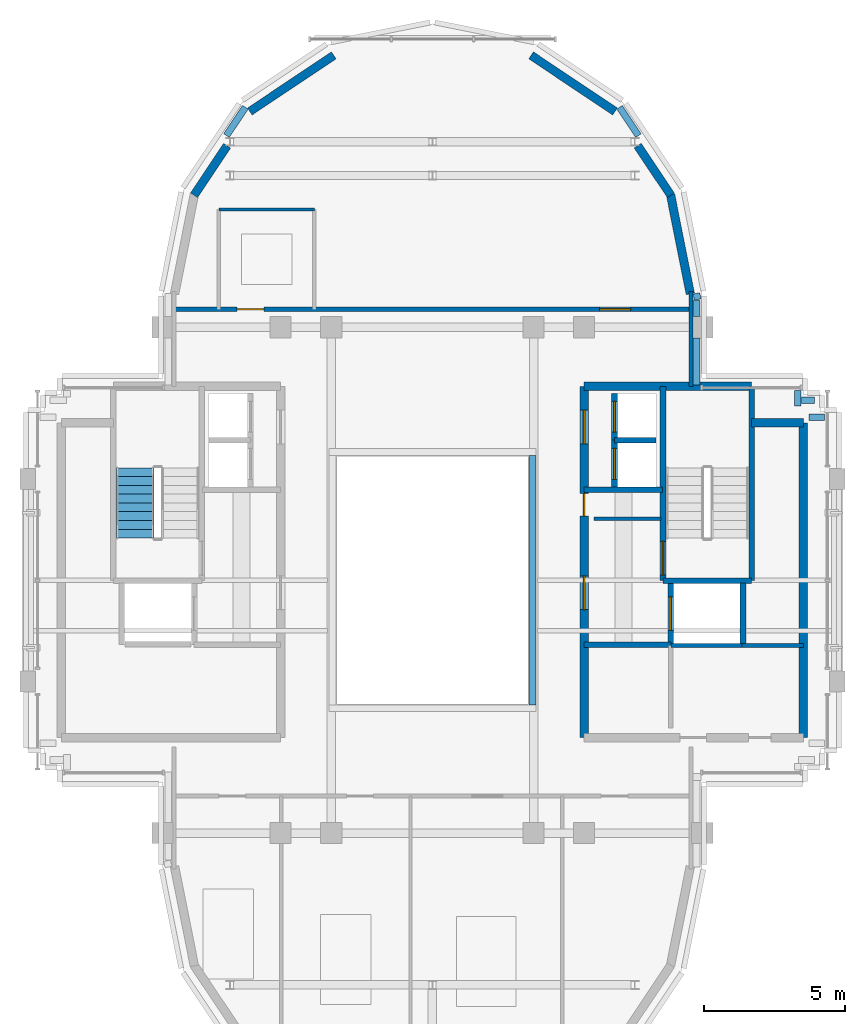
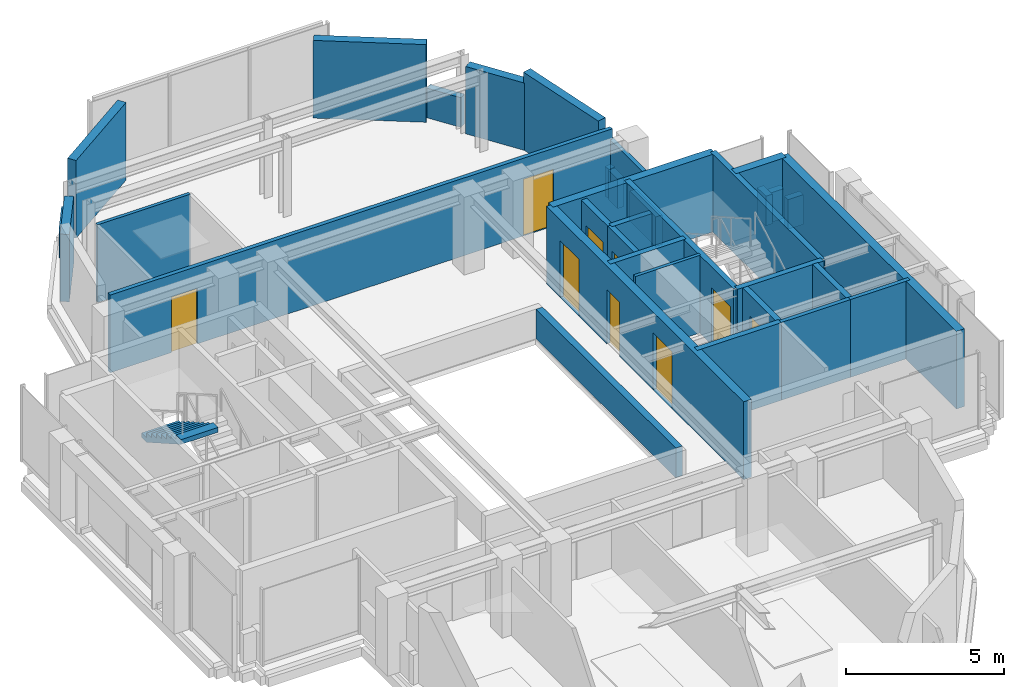
# One storey, part 8 of 11: 34 walls, 9 doors, 1 stair flight, 9 openings, 1 element without a shape of its own.
"""IFC4 building model written with IfcOpenShell, lengths in metres."""

from ifc_helpers import new_model, si_unit, direction, frame, frame_2d, origin, place, context, subcontext, project, spatial, polyline, rectangle, outline, extrude, source, transform, mapped, material, layer, layer_set, type_object, element, fill, aggregate, save


model = new_model("IFC4")

# Units and contexts
model_context = context("Model", 3, precision=1e-05, world=origin(), true_north=direction((0.0, 1.0)))
body_context = subcontext(model_context, "Body", "Model", "MODEL_VIEW")
ifc_project = project(units=[si_unit("LENGTHUNIT", "METRE"), si_unit("AREAUNIT", "SQUARE_METRE"), si_unit("VOLUMEUNIT", "CUBIC_METRE"), si_unit("PLANEANGLEUNIT", "RADIAN"), si_unit("MASSUNIT", "GRAM", prefix="KILO")], contexts=[model_context])

# Site, building, storey
site_placement = place(None, origin())
site = spatial("IfcSite", under=ifc_project, at=site_placement, CompositionType="ELEMENT")
building_placement = place(site_placement, origin())
building = spatial("IfcBuilding", under=site, at=building_placement, Name="Keilestroom Media Tower", CompositionType="ELEMENT")
storey_placement = place(building_placement, frame((0.0, 0.0, 265.199951171875)))
storey = spatial("IfcBuildingStorey", under=building, at=storey_placement, Name="L74", CompositionType="ELEMENT", Elevation=265.199951171875)

# Walls
ifc_material_1 = material(Name="Precast concrete C40/50", Category="concrete")
ifc_layer_1 = layer(ifc_material_1, 0.300048828125)
ifc_layer_set_1 = layer_set([ifc_layer_1], Name="Precast concrete C40/50")
wall_type_1 = type_object("IfcWallType", Name="Exterior-Masonry-Spandrel-Wall-300", PredefinedType="SOLIDWALL", material=ifc_layer_set_1)
wall_1_placement = place(storey_placement, frame((9.1748046875, 10.185302734375, 0.0), z_axis=(0.0, 0.0, 1.0), x_axis=(-0.195114232679, 0.980780523974, 0.0)))
element("IfcWall", 1, at=wall_1_placement, inside=storey, type_object=wall_type_1, Name="L74 Lobe Facet Precast Frame Wall 01", PredefinedType="SOLIDWALL", context=body_context, shape_type="SweptSolid", body=[
    extrude(rectangle(XDim=3.608642578125, YDim=0.300048828125, at=frame_2d((1.80419921875, 0.0))), origin(), (0.0, 0.0, 1.0), 3.010009765625),
])
wall_2_placement = place(storey_placement, frame((8.48193359375, 13.697509765625, 0.0), z_axis=(0.0, 0.0, 1.0), x_axis=(-0.555604299396, 0.831446848868, 0.0)))
element("IfcWall", 2, at=wall_2_placement, inside=storey, type_object=wall_type_1, Name="L74 Lobe Facet Precast Frame Wall 02", PredefinedType="SOLIDWALL", context=body_context, shape_type="SweptSolid", body=[
    extrude(rectangle(XDim=2.117919921875, YDim=0.300048828125, at=frame_2d((1.05908203125, 0.0))), origin(), (0.0, 0.0, 1.0), 2.610107421875),
])
for number, where, z_axis, x_axis, name in (
    (3, (6.497802734375, 16.677001953125, 0.0), (0.0, 0.0, 1.0), (-0.831443568068, 0.555609208993, 0.0), "L74 Lobe Facet Precast Frame Wall 03"),
    (4, (-3.510009765625, 18.673583984375, 0.0), (0.0, 0.0, 1.0), (-0.831443568068, -0.555609208993, 0.0), "L74 Lobe Facet Precast Frame Wall 04"),
):
    element("IfcWall", number, at=place(storey_placement, frame(where, z_axis=z_axis, x_axis=x_axis)), inside=storey, type_object=wall_type_1, Name=name, PredefinedType="SOLIDWALL", context=body_context, shape_type="SweptSolid", body=[
        extrude(rectangle(XDim=3.593505859375, YDim=0.300048828125, at=frame_2d((1.796875, 0.0))), origin(), (0.0, 0.0, 1.0), 3.010009765625),
    ])
wall_3_placement = place(storey_placement, frame((-7.30517578125, 15.45849609375, 0.0), z_axis=(0.0, 0.0, 1.0), x_axis=(-0.555604299396, -0.831446848868, 0.0)))
element("IfcWall", 5, at=wall_3_placement, inside=storey, type_object=wall_type_1, Name="L74 Lobe Facet Precast Frame Wall 05", PredefinedType="SOLIDWALL", context=body_context, shape_type="SweptSolid", body=[
    extrude(rectangle(XDim=2.117919921875, YDim=0.300048828125, at=frame_2d((1.05908203125, 0.0))), origin(), (0.0, 0.0, 1.0), 2.610107421875),
])
ifc_material_2 = material(Name="Gypsum Plasterboard & Steel Stud", Category="steel")
ifc_layer_2 = layer(ifc_material_2, 0.1201171875)
ifc_layer_set_2 = layer_set([ifc_layer_2], Name="Gypsum Plasterboard & Steel Stud")
wall_type_2 = type_object("IfcWallType", Name="Interior-Partition-Wall-120", PredefinedType="PARTITIONING", material=ifc_layer_set_2)
wall_4_placement = place(storey_placement, frame((5.75, 2.179931640625, 0.0), z_axis=(0.0, 0.0, 1.0), x_axis=(1.0, 0.0, 0.0)))
element("IfcWall", 6, at=wall_4_placement, inside=storey, type_object=wall_type_2, Name="L74 Interior Wall WP-L74-CIE-S", PredefinedType="PARTITIONING", context=body_context, shape_type="SweptSolid", body=[
    extrude(rectangle(XDim=2.389892578125, YDim=0.1201171875, at=frame_2d((1.19482421875, 0.0))), origin(), (0.0, 0.0, 1.0), 3.010009765625),
])
wall_5_placement = place(storey_placement, frame((-7.60009765625, 13.18994140625, 0.0), z_axis=(0.0, 0.0, 1.0), x_axis=(1.0, 0.0, 0.0)))
element("IfcWall", 7, at=wall_5_placement, inside=storey, type_object=wall_type_2, Name="L74 Interior Wall WP-L74-NL-WC-N", PredefinedType="PARTITIONING", context=body_context, shape_type="SweptSolid", body=[
    extrude(rectangle(XDim=3.400146484375, YDim=0.1201171875, at=frame_2d((1.7001953125, 0.0))), origin(), (0.0, 0.0, 1.0), 3.010009765625),
])
ifc_layer_3 = layer(ifc_material_2, 0.14990234375)
ifc_layer_set_3 = layer_set([ifc_layer_3], Name="Gypsum Plasterboard & Steel Stud")
wall_type_3 = type_object("IfcWallType", Name="Interior-Partition-Wall-150", PredefinedType="PARTITIONING", material=ifc_layer_set_3)
wall_6_placement = place(storey_placement, frame((11.02001953125, -2.320068359375, 0.0), z_axis=(0.0, 0.0, 1.0), x_axis=(1.0, 0.0, 0.0)))
element("IfcWall", 8, at=wall_6_placement, inside=storey, type_object=wall_type_3, Name="L74 Interior Wall WP-L74-RECLE-N", PredefinedType="PARTITIONING", context=body_context, shape_type="SweptSolid", body=[
    extrude(rectangle(XDim=2.179931640625, YDim=0.14990234375, at=frame_2d((1.08984375, 0.0))), origin(), (0.0, 0.0, 1.0), 3.010009765625),
])
wall_7_placement = place(storey_placement, frame((8.47998046875, -2.320068359375, 0.0), z_axis=(0.0, 0.0, 1.0), x_axis=(1.0, 0.0, 0.0)))
element("IfcWall", 9, at=wall_7_placement, inside=storey, type_object=wall_type_3, Name="L74 Interior Wall WP-L74-RECME-N", PredefinedType="PARTITIONING", context=body_context, shape_type="SweptSolid", body=[
    extrude(rectangle(XDim=2.56005859375, YDim=0.14990234375, at=frame_2d((1.280029296875, 0.0))), origin(), (0.0, 0.0, 1.0), 3.010009765625),
])

# Wall, openings, doors
wall_8_placement = place(storey_placement, frame((-9.199951171875, 9.639892578125, 0.0), z_axis=(0.0, 0.0, 1.0), x_axis=(1.0, 0.0, 0.0)))
wall_8 = element("IfcWall", 10, at=wall_8_placement, inside=storey, type_object=wall_type_3, Name="L74 Interior Wall WP-L74-NL-BASE", PredefinedType="PARTITIONING", context=body_context, shape_type="SweptSolid", body=[
    extrude(rectangle(XDim=18.39990234375, YDim=0.14990234375, at=frame_2d((9.199951171875, 0.0))), origin(), (0.0, 0.0, 1.0), 3.010009765625),
])
opening_1_placement = place(wall_8_placement, frame((2.25, 0.0, 0.0)))
opening_1 = element("IfcOpeningElement", 11, at=opening_1_placement, cuts=wall_8, Name="Opening DI-03", PredefinedType="OPENING", context=body_context, shape_type="SweptSolid", body=[
    extrude(rectangle(XDim=0.949951171875, YDim=2.14990234375, at=frame_2d((0.47509765625, 1.074951171875))), frame((0.0, 0.0849609375, 0.0), z_axis=(0.0, -1.0, 0.0), x_axis=(1.0, 0.0, 0.0)), (0.0, 0.0, 1.0), 0.169921875),
])
opening_2_placement = place(wall_8_placement, frame((15.14990234375, 0.0, 0.0)))
opening_2 = element("IfcOpeningElement", 12, at=opening_2_placement, cuts=wall_8, Name="Opening DI-04", PredefinedType="OPENING", context=body_context, shape_type="SweptSolid", body=[
    extrude(rectangle(XDim=1.10009765625, YDim=2.199951171875, at=frame_2d((0.550048828125, 1.10009765625))), frame((0.0, 0.0849609375, 0.0), z_axis=(0.0, -1.0, 0.0), x_axis=(1.0, 0.0, 0.0)), (0.0, 0.0, 1.0), 0.169921875),
])
ifc_material_3 = material(Name="Lacquered European Oak Leaf", Category="wood")
door_type_1 = type_object("IfcDoorType", Name="Interior-Room-And-Suite-Door-DI-03", OperationType="NOTDEFINED", PredefinedType="DOOR", material=ifc_material_3)
shared_shape_1 = source(origin(), body_context, "Body", "SweptSolid", [
    extrude(rectangle(XDim=0.949951171875, YDim=2.14990234375, at=frame_2d((0.47509765625, 1.074951171875))), frame((0.0, 0.02490234375, 0.0), z_axis=(0.0, -1.0, 0.0), x_axis=(1.0, 0.0, 0.0)), (0.0, 0.0, 1.0), 0.050048828125),
])
door_1_placement = place(opening_1_placement, origin())
door_1 = element("IfcDoor", 13, at=door_1_placement, inside=storey, type_object=door_type_1, Name="L74 Interior Door DI-L74-DNL-WC", OperationType="SINGLE_SWING_LEFT", OverallHeight=2.14990234375, OverallWidth=0.949951171875, PredefinedType="DOOR", context=body_context, shape_type="MappedRepresentation", body=[
    mapped(shared_shape_1, transform((0.0, 0.0, 0.0), x_axis=(1.0, 0.0, 0.0), y_axis=(0.0, 1.0, 0.0), z_axis=(0.0, 0.0, 1.0), scale=1.0)),
])
fill(opening_1, door_1)
ifc_material_4 = material(Name="Acoustic Glazed Aluminium Leaf", Category="aluminium")
door_type_2 = type_object("IfcDoorType", Name="Interior-Room-And-Suite-Door-DI-04", OperationType="NOTDEFINED", PredefinedType="DOOR", material=ifc_material_4)
shared_shape_2 = source(origin(), body_context, "Body", "SweptSolid", [
    extrude(rectangle(XDim=1.10009765625, YDim=2.199951171875, at=frame_2d((0.550048828125, 1.10009765625))), frame((0.0, 0.02490234375, 0.0), z_axis=(0.0, -1.0, 0.0), x_axis=(1.0, 0.0, 0.0)), (0.0, 0.0, 1.0), 0.050048828125),
])
door_2_placement = place(opening_2_placement, origin())
door_2 = element("IfcDoor", 14, at=door_2_placement, inside=storey, type_object=door_type_2, Name="L74 Interior Door DI-L74-DNL-HALL", OperationType="SINGLE_SWING_RIGHT", OverallHeight=2.199951171875, OverallWidth=1.10009765625, PredefinedType="DOOR", context=body_context, shape_type="MappedRepresentation", body=[
    mapped(shared_shape_2, transform((0.0, 0.0, 0.0), x_axis=(1.0, 0.0, 0.0), y_axis=(0.0, 1.0, 0.0), z_axis=(0.0, 0.0, 1.0), scale=1.0)),
])
fill(opening_2, door_2)

# Walls
wall_9_placement = place(storey_placement, frame((9.199951171875, 6.89990234375, 0.0), z_axis=(0.0, 0.0, 1.0), x_axis=(0.0, 1.0, 0.0)))
element("IfcWall", 15, at=wall_9_placement, inside=storey, type_object=wall_type_3, Name="L74 Interior Wall WP-L74-NL-CHKE", PredefinedType="PARTITIONING", context=body_context, shape_type="SweptSolid", body=[
    extrude(rectangle(XDim=3.380126953125, YDim=0.14990234375, at=frame_2d((1.68994140625, 0.0))), origin(), (0.0, 0.0, 1.0), 2.610107421875),
])
ifc_material_5 = material(Name="Concrete C50/60", Category="concrete")
ifc_layer_4 = layer(ifc_material_5, 0.300048828125)
ifc_layer_set_4 = layer_set([ifc_layer_4], Name="Concrete C50/60")
wall_type_4 = type_object("IfcWallType", Name="Reinforced-Concrete-Core-Shear-Wall-300", PredefinedType="SHEAR", material=ifc_layer_set_4)
wall_10_placement = place(storey_placement, frame((13.199951171875, -5.60009765625, 0.0), z_axis=(0.0, 0.0, 1.0), x_axis=(0.0, 1.0, 0.0)))
element("IfcWall", 16, at=wall_10_placement, inside=storey, type_object=wall_type_4, Name="L74 Core Shear Wall WL-L74-CORE-E-OUT", PredefinedType="SHEAR", context=body_context, shape_type="SweptSolid", body=[
    extrude(rectangle(XDim=11.2001953125, YDim=0.300048828125, at=frame_2d((5.60009765625, 0.0))), origin(), (0.0, 0.0, 1.0), 3.010009765625),
])

# Wall, openings, doors
wall_11_placement = place(storey_placement, frame((5.39990234375, -5.60009765625, 0.0), z_axis=(0.0, 0.0, 1.0), x_axis=(0.0, 1.0, 0.0)))
wall_11 = element("IfcWall", 17, at=wall_11_placement, inside=storey, type_object=wall_type_4, Name="L74 Core Shear Wall WL-L74-CORE-E-IN", PredefinedType="SHEAR", context=body_context, shape_type="SweptSolid", body=[
    extrude(rectangle(XDim=12.5, YDim=0.300048828125, at=frame_2d((6.25, 0.0))), origin(), (0.0, 0.0, 1.0), 3.010009765625),
])
opening_3_placement = place(wall_11_placement, frame((4.550048828125, 0.0, 0.0)))
opening_3 = element("IfcOpeningElement", 18, at=opening_3_placement, cuts=wall_11, Name="Opening DI-02", PredefinedType="OPENING", context=body_context, shape_type="SweptSolid", body=[
    extrude(rectangle(XDim=1.199951171875, YDim=2.199951171875, at=frame_2d((0.60009765625, 1.10009765625))), frame((0.0, 0.16015625, 0.0), z_axis=(0.0, -1.0, 0.0), x_axis=(1.0, 0.0, 0.0)), (0.0, 0.0, 1.0), 0.320068359375),
])
opening_4_placement = place(wall_11_placement, frame((10.449951171875, 0.0, 0.0)))
opening_4 = element("IfcOpeningElement", 19, at=opening_4_placement, cuts=wall_11, Name="Opening DI-02", PredefinedType="OPENING", context=body_context, shape_type="SweptSolid", body=[
    extrude(rectangle(XDim=1.199951171875, YDim=2.199951171875, at=frame_2d((0.60009765625, 1.10009765625))), frame((0.0, 0.16015625, 0.0), z_axis=(0.0, -1.0, 0.0), x_axis=(1.0, 0.0, 0.0)), (0.0, 0.0, 1.0), 0.320068359375),
])
opening_5_placement = place(wall_11_placement, frame((7.8798828125, 0.0, 0.0)))
opening_5 = element("IfcOpeningElement", 20, at=opening_5_placement, cuts=wall_11, Name="Opening DI-06", PredefinedType="OPENING", context=body_context, shape_type="SweptSolid", body=[
    extrude(rectangle(XDim=0.800048828125, YDim=2.10009765625, at=frame_2d((0.39990234375, 1.050048828125))), frame((0.0, 0.16015625, 0.0), z_axis=(0.0, -1.0, 0.0), x_axis=(1.0, 0.0, 0.0)), (0.0, 0.0, 1.0), 0.320068359375),
])
ifc_material_6 = material(Name="Powder-Coated Steel Fire Leaf", Category="steel")
door_type_3 = type_object("IfcDoorType", Name="Interior-Compartment-Fire-Door-DI-02", OperationType="NOTDEFINED", PredefinedType="DOOR", material=ifc_material_6)
shared_shape_3 = source(origin(), body_context, "Body", "SweptSolid", [
    extrude(rectangle(XDim=1.199951171875, YDim=2.199951171875, at=frame_2d((0.60009765625, 1.10009765625))), frame((0.0, 0.02490234375, 0.0), z_axis=(0.0, -1.0, 0.0), x_axis=(1.0, 0.0, 0.0)), (0.0, 0.0, 1.0), 0.050048828125),
])
door_3_placement = place(opening_3_placement, origin())
door_3 = element("IfcDoor", 21, at=door_3_placement, inside=storey, type_object=door_type_3, Name="L74 E Firefighting Lobby Door", OperationType="SINGLE_SWING_LEFT", OverallHeight=2.199951171875, OverallWidth=1.199951171875, PredefinedType="DOOR", context=body_context, shape_type="MappedRepresentation", body=[
    mapped(shared_shape_3, transform((0.0, 0.0, 0.0), x_axis=(1.0, 0.0, 0.0), y_axis=(0.0, 1.0, 0.0), z_axis=(0.0, 0.0, 1.0), scale=1.0)),
])
fill(opening_3, door_3)
door_4_placement = place(opening_4_placement, origin())
door_4 = element("IfcDoor", 22, at=door_4_placement, inside=storey, type_object=door_type_3, Name="L74 E High-Rise Lift Lobby Door", OperationType="SINGLE_SWING_RIGHT", OverallHeight=2.199951171875, OverallWidth=1.199951171875, PredefinedType="DOOR", context=body_context, shape_type="MappedRepresentation", body=[
    mapped(shared_shape_3, transform((0.0, 0.0, 0.0), x_axis=(1.0, 0.0, 0.0), y_axis=(0.0, 1.0, 0.0), z_axis=(0.0, 0.0, 1.0), scale=1.0)),
])
fill(opening_4, door_4)
ifc_material_7 = material(Name="Powder-Coated Steel Service Leaf", Category="steel")
door_type_4 = type_object("IfcDoorType", Name="Interior-Riser-Access-Door-DI-06", OperationType="NOTDEFINED", PredefinedType="DOOR", material=ifc_material_7)
shared_shape_4 = source(origin(), body_context, "Body", "SweptSolid", [
    extrude(rectangle(XDim=0.800048828125, YDim=2.10009765625, at=frame_2d((0.39990234375, 1.050048828125))), frame((0.0, 0.02490234375, 0.0), z_axis=(0.0, -1.0, 0.0), x_axis=(1.0, 0.0, 0.0)), (0.0, 0.0, 1.0), 0.050048828125),
])
door_5_placement = place(opening_5_placement, origin())
door_5 = element("IfcDoor", 23, at=door_5_placement, inside=storey, type_object=door_type_4, Name="L74 East Core Closet Door", OperationType="SINGLE_SWING_RIGHT", OverallHeight=2.10009765625, OverallWidth=0.800048828125, PredefinedType="DOOR", context=body_context, shape_type="MappedRepresentation", body=[
    mapped(shared_shape_4, transform((0.0, 0.0, 0.0), x_axis=(1.0, 0.0, 0.0), y_axis=(0.0, 1.0, 0.0), z_axis=(0.0, 0.0, 1.0), scale=1.0)),
])
fill(opening_5, door_5)

# Walls
wall_12_placement = place(storey_placement, frame((5.39990234375, 6.89990234375, 0.0), z_axis=(0.0, 0.0, 1.0), x_axis=(1.0, 0.0, 0.0)))
element("IfcWall", 24, at=wall_12_placement, inside=storey, type_object=wall_type_4, Name="L74 Core Shear Wall WL-L74-CORE-E-N", PredefinedType="SHEAR", context=body_context, shape_type="SweptSolid", body=[
    extrude(rectangle(XDim=5.9560546875, YDim=0.300048828125, at=frame_2d((2.97802734375, 0.0))), origin(), (0.0, 0.0, 1.0), 3.010009765625),
])
wall_13_placement = place(storey_placement, frame((11.35595703125, 5.60009765625, 0.0), z_axis=(0.0, 0.0, 1.0), x_axis=(1.0, 0.0, 0.0)))
element("IfcWall", 25, at=wall_13_placement, inside=storey, type_object=wall_type_4, Name="L74 Core Shear Wall WL-L74-CNE-N", PredefinedType="SHEAR", context=body_context, shape_type="SweptSolid", body=[
    extrude(rectangle(XDim=1.843994140625, YDim=0.300048828125, at=frame_2d((0.921875, 0.0))), origin(), (0.0, 0.0, 1.0), 3.010009765625),
])
ifc_layer_5 = layer(ifc_material_5, 0.199951171875)
ifc_layer_set_5 = layer_set([ifc_layer_5], Name="Concrete C50/60")
wall_type_5 = type_object("IfcWallType", Name="Reinforced-Concrete-Shaft-Wall-200", PredefinedType="SOLIDWALL", material=ifc_layer_set_5)
wall_14_placement = place(storey_placement, frame((5.39990234375, 3.219970703125, 0.0), z_axis=(0.0, 0.0, 1.0), x_axis=(1.0, 0.0, 0.0)))
element("IfcWall", 26, at=wall_14_placement, inside=storey, type_object=wall_type_5, Name="L74 Core Shear Wall WL-L74-CORE-E-FFN", PredefinedType="SOLIDWALL", context=body_context, shape_type="SweptSolid", body=[
    extrude(rectangle(XDim=2.780029296875, YDim=0.199951171875, at=frame_2d((1.39013671875, 0.0))), origin(), (0.0, 0.0, 1.0), 3.010009765625),
])
wall_15_placement = place(storey_placement, frame((5.39990234375, -2.300048828125, 0.0), z_axis=(0.0, 0.0, 1.0), x_axis=(1.0, 0.0, 0.0)))
element("IfcWall", 27, at=wall_15_placement, inside=storey, type_object=wall_type_5, Name="L74 Core Shear Wall WL-L74-CORE-E-FFS", PredefinedType="SOLIDWALL", context=body_context, shape_type="SweptSolid", body=[
    extrude(rectangle(XDim=3.080078125, YDim=0.199951171875, at=frame_2d((1.5400390625, 0.0))), origin(), (0.0, 0.0, 1.0), 3.010009765625),
])

# Wall, opening, door
wall_16_placement = place(storey_placement, frame((8.2041015625, -0.01611328125, 0.0), z_axis=(0.0, 0.0, 1.0), x_axis=(0.0, 1.0, 0.0)))
wall_16 = element("IfcWall", 28, at=wall_16_placement, inside=storey, type_object=wall_type_5, Name="L74 Core Shear Wall WL-L74-STW-E-NEAR", PredefinedType="SOLIDWALL", context=body_context, shape_type="SweptSolid", body=[
    extrude(rectangle(XDim=6.916015625, YDim=0.199951171875, at=frame_2d((3.4580078125, 0.0))), origin(), (0.0, 0.0, 1.0), 3.010009765625),
])
opening_6_placement = place(wall_16_placement, frame((0.199951171875, 0.0, 0.0)))
opening_6 = element("IfcOpeningElement", 29, at=opening_6_placement, cuts=wall_16, Name="Opening DI-01S", PredefinedType="OPENING", context=body_context, shape_type="SweptSolid", body=[
    extrude(rectangle(XDim=1.199951171875, YDim=2.199951171875, at=frame_2d((0.60009765625, 1.10009765625))), frame((0.0, 0.10986328125, 0.0), z_axis=(0.0, -1.0, 0.0), x_axis=(1.0, 0.0, 0.0)), (0.0, 0.0, 1.0), 0.219970703125),
])
door_type_5 = type_object("IfcDoorType", Name="Interior-Stair-And-Core-Fire-Door-DI-01", OperationType="NOTDEFINED", PredefinedType="DOOR", material=ifc_material_6)
door_6_placement = place(opening_6_placement, origin())
door_6 = element("IfcDoor", 30, at=door_6_placement, inside=storey, type_object=door_type_5, Name="L74 Escape Stair ST-2 Fire Door", OperationType="SINGLE_SWING_RIGHT", OverallHeight=2.199951171875, OverallWidth=1.199951171875, PredefinedType="DOOR", context=body_context, shape_type="MappedRepresentation", body=[
    mapped(shared_shape_3, transform((0.0, 0.0, 0.0), x_axis=(1.0, 0.0, 0.0), y_axis=(0.0, 1.0, 0.0), z_axis=(0.0, 0.0, 1.0), scale=1.0)),
])
fill(opening_6, door_6)

# Walls
wall_17_placement = place(storey_placement, frame((11.35595703125, -0.01611328125, 0.0), z_axis=(0.0, 0.0, 1.0), x_axis=(0.0, 1.0, 0.0)))
element("IfcWall", 31, at=wall_17_placement, inside=storey, type_object=wall_type_5, Name="L74 Core Shear Wall WL-L74-STW-E-FAR", PredefinedType="SOLIDWALL", context=body_context, shape_type="SweptSolid", body=[
    extrude(rectangle(XDim=6.916015625, YDim=0.199951171875, at=frame_2d((3.4580078125, 0.0))), origin(), (0.0, 0.0, 1.0), 3.010009765625),
])
wall_18_placement = place(storey_placement, frame((8.2041015625, -0.01611328125, 0.0), z_axis=(0.0, 0.0, 1.0), x_axis=(1.0, 0.0, 0.0)))
element("IfcWall", 32, at=wall_18_placement, inside=storey, type_object=wall_type_5, Name="L74 Core Shear Wall WL-L74-STW-E-S", PredefinedType="SOLIDWALL", context=body_context, shape_type="SweptSolid", body=[
    extrude(rectangle(XDim=3.15185546875, YDim=0.199951171875, at=frame_2d((1.575927734375, 0.0))), origin(), (0.0, 0.0, 1.0), 3.010009765625),
])

# Wall, opening, door
wall_19_placement = place(storey_placement, frame((8.47998046875, -2.280029296875, 0.0), z_axis=(0.0, 0.0, 1.0), x_axis=(0.0, 1.0, 0.0)))
wall_19 = element("IfcWall", 33, at=wall_19_placement, inside=storey, type_object=wall_type_5, Name="L74 Core Shear Wall WL-L74-LSH-FFL-2-W", PredefinedType="SOLIDWALL", context=body_context, shape_type="SweptSolid", body=[
    extrude(rectangle(XDim=2.179931640625, YDim=0.199951171875, at=frame_2d((1.08984375, 0.0))), origin(), (0.0, 0.0, 1.0), 3.010009765625),
])
opening_7_placement = place(wall_19_placement, frame((0.489990234375, 0.0, 0.0)))
opening_7 = element("IfcOpeningElement", 34, at=opening_7_placement, cuts=wall_19, Name="Opening LD-02", PredefinedType="OPENING", context=body_context, shape_type="SweptSolid", body=[
    extrude(rectangle(XDim=1.199951171875, YDim=2.199951171875, at=frame_2d((0.60009765625, 1.10009765625))), frame((0.0, 0.10986328125, 0.0), z_axis=(0.0, -1.0, 0.0), x_axis=(1.0, 0.0, 0.0)), (0.0, 0.0, 1.0), 0.219970703125),
])
ifc_material_8 = material(Name="Brushed Stainless Steel Sliding Leaf", Category="steel")
door_type_6 = type_object("IfcDoorType", Name="Lift-Landing-Sliding-Door-LD-02", OperationType="SLIDING_TO_RIGHT", PredefinedType="DOOR", material=ifc_material_8)
door_7_placement = place(opening_7_placement, origin())
door_7 = element("IfcDoor", 35, at=door_7_placement, inside=storey, type_object=door_type_6, Name="L74 Lift FFL-2 Landing Sliding Door", OperationType="SLIDING_TO_RIGHT", OverallHeight=2.199951171875, OverallWidth=1.199951171875, PredefinedType="DOOR", context=body_context, shape_type="MappedRepresentation", body=[
    mapped(shared_shape_3, transform((0.0, 0.0, 0.0), x_axis=(1.0, 0.0, 0.0), y_axis=(0.0, 1.0, 0.0), z_axis=(0.0, 0.0, 1.0), scale=1.0)),
])
fill(opening_7, door_7)

# Wall
wall_20_placement = place(storey_placement, frame((11.050048828125, -2.280029296875, 0.0), z_axis=(0.0, 0.0, 1.0), x_axis=(0.0, 1.0, 0.0)))
element("IfcWall", 36, at=wall_20_placement, inside=storey, type_object=wall_type_5, Name="L74 Core Shear Wall WL-L74-LSH-FFL-2-E", PredefinedType="SOLIDWALL", context=body_context, shape_type="SweptSolid", body=[
    extrude(rectangle(XDim=2.179931640625, YDim=0.199951171875, at=frame_2d((1.08984375, 0.0))), origin(), (0.0, 0.0, 1.0), 3.010009765625),
])

# Wall, opening, door
wall_21_placement = place(storey_placement, frame((6.47998046875, 3.300048828125, 0.0), z_axis=(0.0, 0.0, 1.0), x_axis=(0.0, 1.0, 0.0)))
wall_21 = element("IfcWall", 37, at=wall_21_placement, inside=storey, type_object=wall_type_5, Name="L74 Core Shear Wall WL-L74-LSH-PL-H3-W", PredefinedType="SOLIDWALL", context=body_context, shape_type="SweptSolid", body=[
    extrude(rectangle(XDim=1.679931640625, YDim=0.199951171875, at=frame_2d((0.83984375, 0.0))), origin(), (0.0, 0.0, 1.0), 3.010009765625),
])
opening_8_placement = place(wall_21_placement, frame((0.2900390625, 0.0, 0.0)))
opening_8 = element("IfcOpeningElement", 38, at=opening_8_placement, cuts=wall_21, Name="Opening LD-01", PredefinedType="OPENING", context=body_context, shape_type="SweptSolid", body=[
    extrude(rectangle(XDim=1.10009765625, YDim=2.199951171875, at=frame_2d((0.550048828125, 1.10009765625))), frame((0.0, 0.10986328125, 0.0), z_axis=(0.0, -1.0, 0.0), x_axis=(1.0, 0.0, 0.0)), (0.0, 0.0, 1.0), 0.219970703125),
])
door_type_7 = type_object("IfcDoorType", Name="Lift-Landing-Sliding-Door-LD-01", OperationType="SLIDING_TO_LEFT", PredefinedType="DOOR", material=ifc_material_8)
door_8_placement = place(opening_8_placement, origin())
door_8 = element("IfcDoor", 39, at=door_8_placement, inside=storey, type_object=door_type_7, Name="L74 Lift PL-H3 Landing Sliding Door", OperationType="SLIDING_TO_LEFT", OverallHeight=2.199951171875, OverallWidth=1.10009765625, PredefinedType="DOOR", context=body_context, shape_type="MappedRepresentation", body=[
    mapped(shared_shape_2, transform((0.0, 0.0, 0.0), x_axis=(1.0, 0.0, 0.0), y_axis=(0.0, 1.0, 0.0), z_axis=(0.0, 0.0, 1.0), scale=1.0)),
])
fill(opening_8, door_8)

# Wall
wall_22_placement = place(storey_placement, frame((6.47998046875, 4.97998046875, 0.0), z_axis=(0.0, 0.0, 1.0), x_axis=(1.0, 0.0, 0.0)))
element("IfcWall", 40, at=wall_22_placement, inside=storey, type_object=wall_type_5, Name="L74 Core Shear Wall WL-L74-LSH-PL-H3-N", PredefinedType="SOLIDWALL", context=body_context, shape_type="SweptSolid", body=[
    extrude(rectangle(XDim=1.469970703125, YDim=0.199951171875, at=frame_2d((0.73486328125, 0.0))), origin(), (0.0, 0.0, 1.0), 3.010009765625),
])

# Wall, opening, door
wall_23_placement = place(storey_placement, frame((6.47998046875, 4.97998046875, 0.0), z_axis=(0.0, 0.0, 1.0), x_axis=(0.0, 1.0, 0.0)))
wall_23 = element("IfcWall", 41, at=wall_23_placement, inside=storey, type_object=wall_type_5, Name="L74 Core Shear Wall WL-L74-LSH-PL-H4-W", PredefinedType="SOLIDWALL", context=body_context, shape_type="SweptSolid", body=[
    extrude(rectangle(XDim=1.669921875, YDim=0.199951171875, at=frame_2d((0.8349609375, 0.0))), origin(), (0.0, 0.0, 1.0), 3.010009765625),
])
opening_9_placement = place(wall_23_placement, frame((0.284912109375, 0.0, 0.0)))
opening_9 = element("IfcOpeningElement", 42, at=opening_9_placement, cuts=wall_23, Name="Opening LD-01", PredefinedType="OPENING", context=body_context, shape_type="SweptSolid", body=[
    extrude(rectangle(XDim=1.10009765625, YDim=2.199951171875, at=frame_2d((0.550048828125, 1.10009765625))), frame((0.0, 0.10986328125, 0.0), z_axis=(0.0, -1.0, 0.0), x_axis=(1.0, 0.0, 0.0)), (0.0, 0.0, 1.0), 0.219970703125),
])
door_9_placement = place(opening_9_placement, origin())
door_9 = element("IfcDoor", 43, at=door_9_placement, inside=storey, type_object=door_type_7, Name="L74 Lift PL-H4 Landing Sliding Door", OperationType="SLIDING_TO_LEFT", OverallHeight=2.199951171875, OverallWidth=1.10009765625, PredefinedType="DOOR", context=body_context, shape_type="MappedRepresentation", body=[
    mapped(shared_shape_2, transform((0.0, 0.0, 0.0), x_axis=(1.0, 0.0, 0.0), y_axis=(0.0, 1.0, 0.0), z_axis=(0.0, 0.0, 1.0), scale=1.0)),
])
fill(opening_9, door_9)

# Walls
ifc_layer_6 = layer(ifc_material_1, 0.239990234375)
ifc_layer_set_6 = layer_set([ifc_layer_6], Name="Precast concrete C40/50")
wall_type_6 = type_object("IfcWallType", Name="Roof-And-Terrace-Parapet-Wall-240", PredefinedType="PARAPET", material=ifc_layer_set_6)
for number, where, z_axis, x_axis, name in (
    (44, (-7.328125, 15.8203125, 0.0), (0.0, 0.0, 1.0), (0.555585388542, 0.831459485506, 0.0), "L74 Perimeter Edge Parapet Wall 18"),
    (45, (6.656494140625, 16.825439453125, 0.0), (0.0, 0.0, 1.0), (0.555585388542, -0.831459485506, 0.0), "L74 Perimeter Edge Parapet Wall 19"),
):
    element("IfcWall", number, at=place(storey_placement, frame(where, z_axis=z_axis, x_axis=x_axis)), inside=storey, type_object=wall_type_6, Name=name, PredefinedType="PARAPET", context=body_context, shape_type="SweptSolid", body=[
        extrude(rectangle(XDim=1.208984375, YDim=0.239990234375, at=frame_2d((0.6044921875, 0.0))), origin(), (0.0, 0.0, 1.0), 1.150146484375),
    ])
wall_24_placement = place(storey_placement, frame((9.395263671875, 10.2041015625, 0.0), z_axis=(0.0, 0.0, 1.0), x_axis=(0.194859894132, -0.980831087221, 0.0)))
element("IfcWall", 46, at=wall_24_placement, inside=storey, type_object=wall_type_6, Name="L74 Perimeter Edge Parapet Wall 20", PredefinedType="PARAPET", context=body_context, shape_type="SweptSolid", body=[
    extrude(rectangle(XDim=0.224365234375, YDim=0.239990234375, at=frame_2d((0.1123046875, 0.0))), origin(), (0.0, 0.0, 1.0), 1.150146484375),
])
wall_25_placement = place(storey_placement, frame((9.39990234375, 9.957763671875, 0.0), z_axis=(0.0, 0.0, 1.0), x_axis=(0.0, -1.0, 0.0)))
element("IfcWall", 47, at=wall_25_placement, inside=storey, type_object=wall_type_6, Name="L74 Perimeter Edge Parapet Wall 21", PredefinedType="PARAPET", context=body_context, shape_type="SweptSolid", body=[
    extrude(rectangle(XDim=0.579833984375, YDim=0.239990234375, at=frame_2d((0.2900390625, 0.0))), origin(), (0.0, 0.0, 1.0), 1.150146484375),
])
wall_26_placement = place(storey_placement, frame((9.39990234375, 8.6220703125, 0.0), z_axis=(0.0, 0.0, 1.0), x_axis=(0.0, -1.0, 0.0)))
element("IfcWall", 48, at=wall_26_placement, inside=storey, type_object=wall_type_6, Name="L74 Perimeter Edge Parapet Wall 22", PredefinedType="PARAPET", context=body_context, shape_type="SweptSolid", body=[
    extrude(rectangle(XDim=1.669189453125, YDim=0.239990234375, at=frame_2d((0.83447265625, 0.0))), origin(), (0.0, 0.0, 1.0), 1.150146484375),
])
wall_27_placement = place(storey_placement, frame((13.0, 6.757080078125, 0.0), z_axis=(0.0, 0.0, 1.0), x_axis=(0.0, -1.0, 0.0)))
element("IfcWall", 49, at=wall_27_placement, inside=storey, type_object=wall_type_6, Name="L74 Perimeter Edge Parapet Wall 23", PredefinedType="PARAPET", context=body_context, shape_type="SweptSolid", body=[
    extrude(rectangle(XDim=0.55712890625, YDim=0.239990234375, at=frame_2d((0.278564453125, 0.0))), origin(), (0.0, 0.0, 1.0), 1.150146484375),
])
wall_28_placement = place(storey_placement, frame((13.123046875, 6.39990234375, 0.0), z_axis=(0.0, 0.0, 1.0), x_axis=(1.0, 0.0, 0.0)))
element("IfcWall", 50, at=wall_28_placement, inside=storey, type_object=wall_type_6, Name="L74 Perimeter Edge Parapet Wall 24", PredefinedType="PARAPET", context=body_context, shape_type="SweptSolid", body=[
    extrude(rectangle(XDim=0.47705078125, YDim=0.239990234375, at=frame_2d((0.238525390625, 0.0))), origin(), (0.0, 0.0, 1.0), 1.150146484375),
])
wall_29_placement = place(storey_placement, frame((13.39990234375, 5.800048828125, 0.0), z_axis=(0.0, 0.0, 1.0), x_axis=(1.0, 0.0, 0.0)))
element("IfcWall", 51, at=wall_29_placement, inside=storey, type_object=wall_type_6, Name="L74 Perimeter Edge Parapet Wall 25", PredefinedType="PARAPET", context=body_context, shape_type="SweptSolid", body=[
    extrude(rectangle(XDim=0.55712890625, YDim=0.239990234375, at=frame_2d((0.278564453125, 0.0))), origin(), (0.0, 0.0, 1.0), 1.150146484375),
])
wall_30_placement = place(storey_placement, frame((3.56005859375, -4.43505859375, 0.0), z_axis=(0.0, 0.0, 1.0), x_axis=(0.0, 1.0, 0.0)))
element("IfcWall", 52, at=wall_30_placement, inside=storey, type_object=wall_type_6, Name="L74 Central Atrium Guard Parapet E", PredefinedType="PARAPET", context=body_context, shape_type="SweptSolid", body=[
    extrude(rectangle(XDim=8.8701171875, YDim=0.239990234375, at=frame_2d((4.43505859375, 0.0))), origin(), (0.0, 0.0, 1.0), 1.150146484375),
])

# Stair, stair flight
ifc_material_9 = material(Name="Concrete C45/55", Category="concrete")
stair_type = type_object("IfcStairType", Name="Enclosed-Dog-Leg-Stair-ST-CORE", PredefinedType="HALF_TURN_STAIR", material=ifc_material_9)
stair_placement = place(storey_placement, origin())
stair = element("IfcStair", 53, at=stair_placement, inside=storey, type_object=stair_type, Name="L74 West Core Escape Stair ST-1", PredefinedType="HALF_TURN_STAIR")
stair_flight_type = type_object("IfcStairFlightType", Name="Precast-Concrete-Stair-Flight-Core-160", PredefinedType="STRAIGHT", material=ifc_material_1)
stair_flight_placement = place(storey_placement, frame((-10.580078125, 3.99609375, 1.60009765625), z_axis=(0.0, 0.0, 1.0), x_axis=(0.0, -1.0, 0.0)))
stair_flight = element("IfcStairFlight", 54, at=stair_flight_placement, type_object=stair_flight_type, Name="ST-1 flight 2", NumberOfRisers=9, NumberOfTreads=8, PredefinedType="STRAIGHT", RiserHeight=0.177777778, TreadLength=0.312, context=body_context, shape_type="SweptSolid", body=[
    extrude(outline(polyline([(0.0, 0.0), (0.0, 0.177734375), (0.31201171875, 0.177734375), (0.31201171875, 0.35546875), (0.6240234375, 0.35546875), (0.6240234375, 0.533447265625), (0.93603515625, 0.533447265625), (0.93603515625, 0.711181640625), (1.248046875, 0.711181640625), (1.248046875, 0.888916015625), (1.56005859375, 0.888916015625), (1.56005859375, 1.066650390625), (1.8720703125, 1.066650390625), (1.8720703125, 1.244384765625), (2.18408203125, 1.244384765625), (2.18408203125, 1.422119140625), (2.49609375, 1.422119140625), (2.49609375, 1.60009765625), (2.49609375, 1.23828125), (0.322998046875, 0.0), (0.0, 0.0)])), frame((0.0, 0.68017578125, 0.0), z_axis=(0.0, -1.0, 0.0), x_axis=(1.0, 0.0, 0.0)), (0.0, 0.0, 1.0), 1.360107421875),
])
aggregate(stair, [stair_flight])

save(model, "model.ifc")
